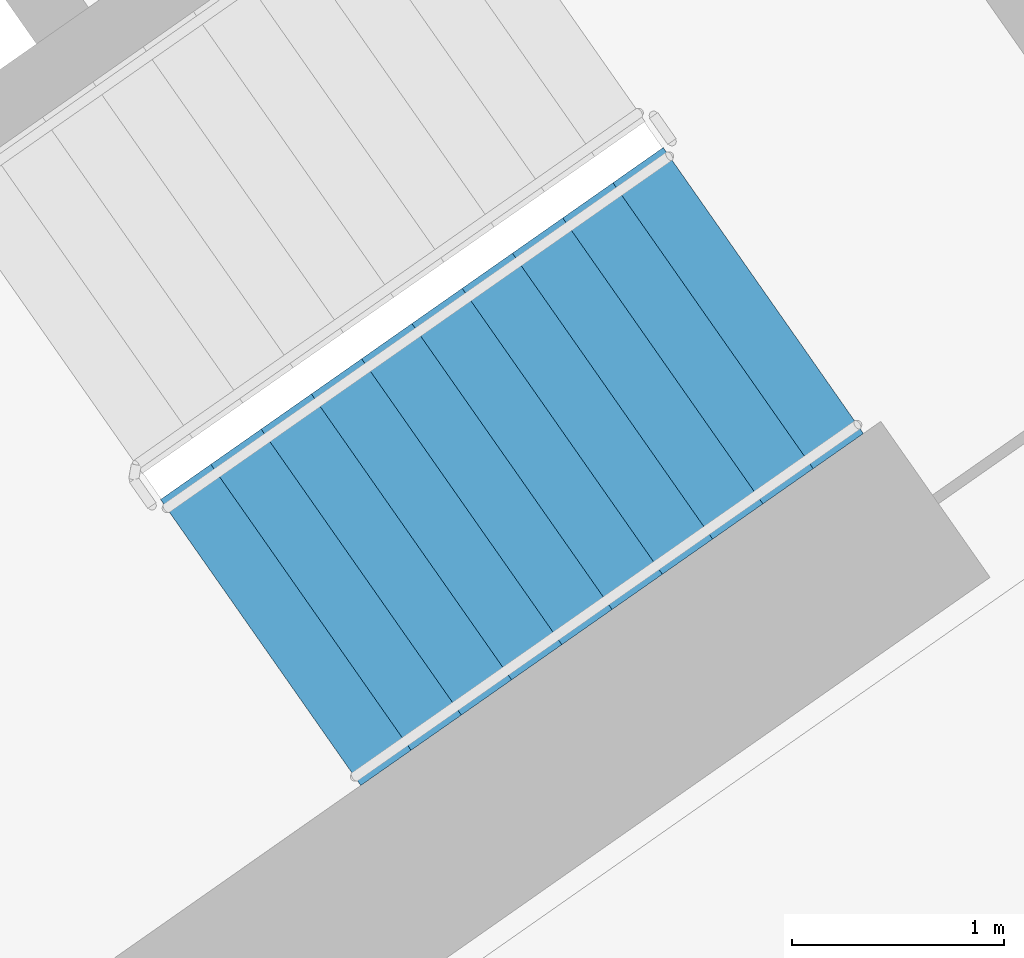
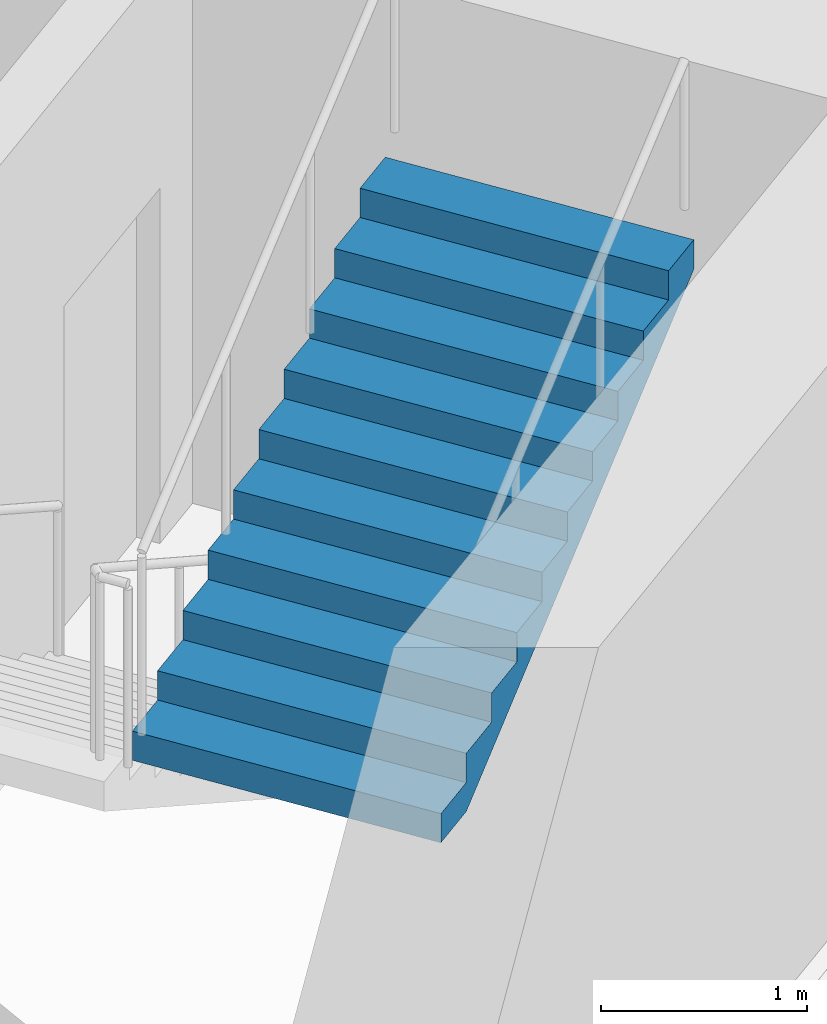
# One storey, part 16 of 31: 1 stair flight, 1 element without a shape of its own.
"""IFC4 building model written with IfcOpenShell, lengths in metres."""

from ifc_helpers import new_model, si_unit, direction, frame, origin, place, context, subcontext, project, spatial, faceted_brep, material, type_object, element, aggregate, save


model = new_model("IFC4")

# Units and contexts
model_context = context("Model", 3, precision=1e-05, world=origin(), true_north=direction((0.0, 1.0)))
body_context = subcontext(model_context, "Body", "Model", "MODEL_VIEW")
ifc_project = project(units=[si_unit("LENGTHUNIT", "METRE"), si_unit("AREAUNIT", "SQUARE_METRE"), si_unit("VOLUMEUNIT", "CUBIC_METRE"), si_unit("PLANEANGLEUNIT", "RADIAN"), si_unit("MASSUNIT", "GRAM", prefix="KILO")], contexts=[model_context])

# Site, building, storey
site_placement = place(None, origin())
site = spatial("IfcSite", under=ifc_project, at=site_placement, CompositionType="ELEMENT")
building_placement = place(site_placement, origin())
building = spatial("IfcBuilding", under=site, at=building_placement, Name="Qamariyya Broadcast Tower", CompositionType="ELEMENT")
storey_placement = place(building_placement, frame((0.0, 0.0, 86.10009765625)))
storey = spatial("IfcBuildingStorey", under=building, at=storey_placement, Name="L18", CompositionType="ELEMENT", Elevation=86.10009765625)

# Stair, stair flight
ifc_material = material(Name="Concrete C50/60", Category="concrete")
stair_type = type_object("IfcStairType", Name="Exit stair 22 risers of 173 mm", PredefinedType="HALF_TURN_STAIR", material=ifc_material)
stair_placement = place(storey_placement, origin())
stair = element("IfcStair", 1, at=stair_placement, inside=storey, type_object=stair_type, Name="L18 Stair E1", PredefinedType="HALF_TURN_STAIR")
stair_flight_type = type_object("IfcStairFlightType", Name="Exit stair flight 11 risers of 173 mm", PredefinedType="STRAIGHT", material=ifc_material)
stair_flight_placement = place(storey_placement, frame((44.693359375, -58.64599609375, 1.89990234375), z_axis=(0.0, 0.0, 1.0), x_axis=(0.819152044289, 0.573576436351, 0.0)))
stair_flight = element("IfcStairFlight", 2, at=stair_flight_placement, type_object=stair_flight_type, Name="ST-E1 flight 2", NumberOfRisers=11, NumberOfTreads=10, PredefinedType="STRAIGHT", RiserHeight=0.172727273, TreadLength=0.29, context=body_context, shape_type="Brep", body=[
    faceted_brep([(0.0, 0.824951171875, 0.0), (0.0, 0.824951171875, 0.172607421875), (0.2900390625, 0.824951171875, 0.172607421875), (0.2900390625, 0.824951171875, 0.345458984375), (0.580078125, 0.824951171875, 0.345458984375), (0.580078125, 0.824951171875, 0.51806640625), (0.8701171875, 0.824951171875, 0.51806640625), (0.8701171875, 0.824951171875, 0.69091796875), (1.159912109375, 0.824951171875, 0.69091796875), (1.159912109375, 0.824951171875, 0.863525390625), (1.449951171875, 0.824951171875, 0.863525390625), (1.449951171875, 0.824951171875, 1.036376953125), (1.739990234375, 0.824951171875, 1.036376953125), (1.739990234375, 0.824951171875, 1.208984375), (2.030029296875, 0.824951171875, 1.208984375), (2.030029296875, 0.824951171875, 1.3818359375), (2.320068359375, 0.824951171875, 1.3818359375), (2.320068359375, 0.824951171875, 1.554443359375), (2.610107421875, 0.824951171875, 1.554443359375), (2.610107421875, 0.824951171875, 1.727294921875), (2.89990234375, 0.824951171875, 1.727294921875), (2.89990234375, 0.824951171875, 1.552734375), (0.29296875, 0.824951171875, 0.0), (0.29296875, -0.824951171875, 0.0), (2.89990234375, -0.824951171875, 1.552734375), (2.89990234375, -0.824951171875, 1.727294921875), (2.610107421875, -0.824951171875, 1.727294921875), (2.610107421875, -0.824951171875, 1.554443359375), (2.320068359375, -0.824951171875, 1.554443359375), (2.320068359375, -0.824951171875, 1.3818359375), (2.030029296875, -0.824951171875, 1.3818359375), (2.030029296875, -0.824951171875, 1.208984375), (1.739990234375, -0.824951171875, 1.208984375), (1.739990234375, -0.824951171875, 1.036376953125), (1.449951171875, -0.824951171875, 1.036376953125), (1.449951171875, -0.824951171875, 0.863525390625), (1.159912109375, -0.824951171875, 0.863525390625), (1.159912109375, -0.824951171875, 0.69091796875), (0.8701171875, -0.824951171875, 0.69091796875), (0.8701171875, -0.824951171875, 0.51806640625), (0.580078125, -0.824951171875, 0.51806640625), (0.580078125, -0.824951171875, 0.345458984375), (0.2900390625, -0.824951171875, 0.345458984375), (0.2900390625, -0.824951171875, 0.172607421875), (0.0, -0.824951171875, 0.172607421875), (0.0, -0.824951171875, 0.0), (0.0, 0.10009765625, 0.0), (0.0, 0.086669921875, 0.0), (0.0, 0.0732421875, 0.0), (0.0, 0.06005859375, 0.0), (0.0, 0.046630859375, 0.0), (0.0, 0.033447265625, 0.0), (0.0, 0.02001953125, 0.0), (0.0, 0.006591796875, 0.0), (0.0, -0.006591796875, 0.0), (0.0, -0.02001953125, 0.0), (0.0, -0.033447265625, 0.0), (0.0, -0.046630859375, 0.0), (0.0, -0.06005859375, 0.0), (0.0, -0.0732421875, 0.0), (0.0, -0.086669921875, 0.0), (0.0, -0.10009765625, 0.0), (0.0, -0.10009765625, 0.172607421875), (0.0, -0.086669921875, 0.172607421875), (0.0, -0.0732421875, 0.172607421875), (0.0, -0.06005859375, 0.172607421875), (0.0, -0.046630859375, 0.172607421875), (0.0, -0.033447265625, 0.172607421875), (0.0, -0.02001953125, 0.172607421875), (0.0, -0.006591796875, 0.172607421875), (0.0, 0.006591796875, 0.172607421875), (0.0, 0.02001953125, 0.172607421875), (0.0, 0.033447265625, 0.172607421875), (0.0, 0.046630859375, 0.172607421875), (0.0, 0.06005859375, 0.172607421875), (0.0, 0.0732421875, 0.172607421875), (0.0, 0.086669921875, 0.172607421875), (0.0, 0.10009765625, 0.172607421875), (0.2900390625, -0.10009765625, 0.172607421875), (0.2900390625, -0.086669921875, 0.172607421875), (0.2900390625, -0.0732421875, 0.172607421875), (0.2900390625, -0.06005859375, 0.172607421875), (0.2900390625, -0.046630859375, 0.172607421875), (0.2900390625, -0.033447265625, 0.172607421875), (0.2900390625, -0.02001953125, 0.172607421875), (0.2900390625, -0.006591796875, 0.172607421875), (0.2900390625, 0.006591796875, 0.172607421875), (0.2900390625, 0.02001953125, 0.172607421875), (0.2900390625, 0.033447265625, 0.172607421875), (0.2900390625, 0.046630859375, 0.172607421875), (0.2900390625, 0.06005859375, 0.172607421875), (0.2900390625, 0.0732421875, 0.172607421875), (0.2900390625, 0.086669921875, 0.172607421875), (0.2900390625, 0.10009765625, 0.172607421875), (0.2900390625, -0.10009765625, 0.345458984375), (0.2900390625, -0.086669921875, 0.345458984375), (0.2900390625, -0.0732421875, 0.345458984375), (0.2900390625, -0.06005859375, 0.345458984375), (0.2900390625, -0.046630859375, 0.345458984375), (0.2900390625, -0.033447265625, 0.345458984375), (0.2900390625, -0.02001953125, 0.345458984375), (0.2900390625, -0.006591796875, 0.345458984375), (0.2900390625, 0.006591796875, 0.345458984375), (0.2900390625, 0.02001953125, 0.345458984375), (0.2900390625, 0.033447265625, 0.345458984375), (0.2900390625, 0.046630859375, 0.345458984375), (0.2900390625, 0.06005859375, 0.345458984375), (0.2900390625, 0.0732421875, 0.345458984375), (0.2900390625, 0.086669921875, 0.345458984375), (0.2900390625, 0.10009765625, 0.345458984375), (0.580078125, -0.10009765625, 0.345458984375), (0.580078125, -0.086669921875, 0.345458984375), (0.580078125, -0.0732421875, 0.345458984375), (0.580078125, -0.06005859375, 0.345458984375), (0.580078125, -0.046630859375, 0.345458984375), (0.580078125, -0.033447265625, 0.345458984375), (0.580078125, -0.02001953125, 0.345458984375), (0.580078125, -0.006591796875, 0.345458984375), (0.580078125, 0.006591796875, 0.345458984375), (0.580078125, 0.02001953125, 0.345458984375), (0.580078125, 0.033447265625, 0.345458984375), (0.580078125, 0.046630859375, 0.345458984375), (0.580078125, 0.06005859375, 0.345458984375), (0.580078125, 0.0732421875, 0.345458984375), (0.580078125, 0.086669921875, 0.345458984375), (0.580078125, 0.10009765625, 0.345458984375), (0.580078125, -0.10009765625, 0.51806640625), (0.580078125, -0.086669921875, 0.51806640625), (0.580078125, -0.0732421875, 0.51806640625), (0.580078125, -0.06005859375, 0.51806640625), (0.580078125, -0.046630859375, 0.51806640625), (0.580078125, -0.033447265625, 0.51806640625), (0.580078125, -0.02001953125, 0.51806640625), (0.580078125, -0.006591796875, 0.51806640625), (0.580078125, 0.006591796875, 0.51806640625), (0.580078125, 0.02001953125, 0.51806640625), (0.580078125, 0.033447265625, 0.51806640625), (0.580078125, 0.046630859375, 0.51806640625), (0.580078125, 0.06005859375, 0.51806640625), (0.580078125, 0.0732421875, 0.51806640625), (0.580078125, 0.086669921875, 0.51806640625), (0.580078125, 0.10009765625, 0.51806640625), (0.8701171875, -0.10009765625, 0.51806640625), (0.8701171875, -0.086669921875, 0.51806640625), (0.8701171875, -0.0732421875, 0.51806640625), (0.8701171875, -0.06005859375, 0.51806640625), (0.8701171875, -0.046630859375, 0.51806640625), (0.8701171875, -0.033447265625, 0.51806640625), (0.8701171875, -0.02001953125, 0.51806640625), (0.8701171875, -0.006591796875, 0.51806640625), (0.8701171875, 0.006591796875, 0.51806640625), (0.8701171875, 0.02001953125, 0.51806640625), (0.8701171875, 0.033447265625, 0.51806640625), (0.8701171875, 0.046630859375, 0.51806640625), (0.8701171875, 0.06005859375, 0.51806640625), (0.8701171875, 0.0732421875, 0.51806640625), (0.8701171875, 0.086669921875, 0.51806640625), (0.8701171875, 0.10009765625, 0.51806640625), (0.8701171875, -0.10009765625, 0.69091796875), (0.8701171875, -0.086669921875, 0.69091796875), (0.8701171875, -0.0732421875, 0.69091796875), (0.8701171875, -0.06005859375, 0.69091796875), (0.8701171875, -0.046630859375, 0.69091796875), (0.8701171875, -0.033447265625, 0.69091796875), (0.8701171875, -0.02001953125, 0.69091796875), (0.8701171875, -0.006591796875, 0.69091796875), (0.8701171875, 0.006591796875, 0.69091796875), (0.8701171875, 0.02001953125, 0.69091796875), (0.8701171875, 0.033447265625, 0.69091796875), (0.8701171875, 0.046630859375, 0.69091796875), (0.8701171875, 0.06005859375, 0.69091796875), (0.8701171875, 0.0732421875, 0.69091796875), (0.8701171875, 0.086669921875, 0.69091796875), (0.8701171875, 0.10009765625, 0.69091796875), (1.159912109375, -0.10009765625, 0.69091796875), (1.159912109375, -0.086669921875, 0.69091796875), (1.159912109375, -0.0732421875, 0.69091796875), (1.159912109375, -0.06005859375, 0.69091796875), (1.159912109375, -0.046630859375, 0.69091796875), (1.159912109375, -0.033447265625, 0.69091796875), (1.159912109375, -0.02001953125, 0.69091796875), (1.159912109375, -0.006591796875, 0.69091796875), (1.159912109375, 0.006591796875, 0.69091796875), (1.159912109375, 0.02001953125, 0.69091796875), (1.159912109375, 0.033447265625, 0.69091796875), (1.159912109375, 0.046630859375, 0.69091796875), (1.159912109375, 0.06005859375, 0.69091796875), (1.159912109375, 0.0732421875, 0.69091796875), (1.159912109375, 0.086669921875, 0.69091796875), (1.159912109375, 0.10009765625, 0.69091796875), (1.159912109375, -0.10009765625, 0.863525390625), (1.159912109375, -0.086669921875, 0.863525390625), (1.159912109375, -0.0732421875, 0.863525390625), (1.159912109375, -0.06005859375, 0.863525390625), (1.159912109375, -0.046630859375, 0.863525390625), (1.159912109375, -0.033447265625, 0.863525390625), (1.159912109375, -0.02001953125, 0.863525390625), (1.159912109375, -0.006591796875, 0.863525390625), (1.159912109375, 0.006591796875, 0.863525390625), (1.159912109375, 0.02001953125, 0.863525390625), (1.159912109375, 0.033447265625, 0.863525390625), (1.159912109375, 0.046630859375, 0.863525390625), (1.159912109375, 0.06005859375, 0.863525390625), (1.159912109375, 0.0732421875, 0.863525390625), (1.159912109375, 0.086669921875, 0.863525390625), (1.159912109375, 0.10009765625, 0.863525390625), (1.449951171875, -0.10009765625, 0.863525390625), (1.449951171875, -0.086669921875, 0.863525390625), (1.449951171875, -0.0732421875, 0.863525390625), (1.449951171875, -0.06005859375, 0.863525390625), (1.449951171875, -0.046630859375, 0.863525390625), (1.449951171875, -0.033447265625, 0.863525390625), (1.449951171875, -0.02001953125, 0.863525390625), (1.449951171875, -0.006591796875, 0.863525390625), (1.449951171875, 0.006591796875, 0.863525390625), (1.449951171875, 0.02001953125, 0.863525390625), (1.449951171875, 0.033447265625, 0.863525390625), (1.449951171875, 0.046630859375, 0.863525390625), (1.449951171875, 0.06005859375, 0.863525390625), (1.449951171875, 0.0732421875, 0.863525390625), (1.449951171875, 0.086669921875, 0.863525390625), (1.449951171875, 0.10009765625, 0.863525390625), (1.449951171875, -0.10009765625, 1.036376953125), (1.449951171875, -0.086669921875, 1.036376953125), (1.449951171875, -0.0732421875, 1.036376953125), (1.449951171875, -0.06005859375, 1.036376953125), (1.449951171875, -0.046630859375, 1.036376953125), (1.449951171875, -0.033447265625, 1.036376953125), (1.449951171875, -0.02001953125, 1.036376953125), (1.449951171875, -0.006591796875, 1.036376953125), (1.449951171875, 0.006591796875, 1.036376953125), (1.449951171875, 0.02001953125, 1.036376953125), (1.449951171875, 0.033447265625, 1.036376953125), (1.449951171875, 0.046630859375, 1.036376953125), (1.449951171875, 0.06005859375, 1.036376953125), (1.449951171875, 0.0732421875, 1.036376953125), (1.449951171875, 0.086669921875, 1.036376953125), (1.449951171875, 0.10009765625, 1.036376953125), (1.739990234375, -0.10009765625, 1.036376953125), (1.739990234375, -0.086669921875, 1.036376953125), (1.739990234375, -0.0732421875, 1.036376953125), (1.739990234375, -0.06005859375, 1.036376953125), (1.739990234375, -0.046630859375, 1.036376953125), (1.739990234375, -0.033447265625, 1.036376953125), (1.739990234375, -0.02001953125, 1.036376953125), (1.739990234375, -0.006591796875, 1.036376953125), (1.739990234375, 0.006591796875, 1.036376953125), (1.739990234375, 0.02001953125, 1.036376953125), (1.739990234375, 0.033447265625, 1.036376953125), (1.739990234375, 0.046630859375, 1.036376953125), (1.739990234375, 0.06005859375, 1.036376953125), (1.739990234375, 0.0732421875, 1.036376953125), (1.739990234375, 0.086669921875, 1.036376953125), (1.739990234375, 0.10009765625, 1.036376953125), (1.739990234375, -0.10009765625, 1.208984375), (1.739990234375, -0.086669921875, 1.208984375), (1.739990234375, -0.0732421875, 1.208984375), (1.739990234375, -0.06005859375, 1.208984375), (1.739990234375, -0.046630859375, 1.208984375), (1.739990234375, -0.033447265625, 1.208984375), (1.739990234375, -0.02001953125, 1.208984375), (1.739990234375, -0.006591796875, 1.208984375), (1.739990234375, 0.006591796875, 1.208984375), (1.739990234375, 0.02001953125, 1.208984375), (1.739990234375, 0.033447265625, 1.208984375), (1.739990234375, 0.046630859375, 1.208984375), (1.739990234375, 0.06005859375, 1.208984375), (1.739990234375, 0.0732421875, 1.208984375), (1.739990234375, 0.086669921875, 1.208984375), (1.739990234375, 0.10009765625, 1.208984375), (2.030029296875, -0.10009765625, 1.208984375), (2.030029296875, -0.086669921875, 1.208984375), (2.030029296875, -0.0732421875, 1.208984375), (2.030029296875, -0.06005859375, 1.208984375), (2.030029296875, -0.046630859375, 1.208984375), (2.030029296875, -0.033447265625, 1.208984375), (2.030029296875, -0.02001953125, 1.208984375), (2.030029296875, -0.006591796875, 1.208984375), (2.030029296875, 0.006591796875, 1.208984375), (2.030029296875, 0.02001953125, 1.208984375), (2.030029296875, 0.033447265625, 1.208984375), (2.030029296875, 0.046630859375, 1.208984375), (2.030029296875, 0.06005859375, 1.208984375), (2.030029296875, 0.0732421875, 1.208984375), (2.030029296875, 0.086669921875, 1.208984375), (2.030029296875, 0.10009765625, 1.208984375), (2.030029296875, -0.10009765625, 1.3818359375), (2.030029296875, -0.086669921875, 1.3818359375), (2.030029296875, -0.0732421875, 1.3818359375), (2.030029296875, -0.06005859375, 1.3818359375), (2.030029296875, -0.046630859375, 1.3818359375), (2.030029296875, -0.033447265625, 1.3818359375), (2.030029296875, -0.02001953125, 1.3818359375), (2.030029296875, -0.006591796875, 1.3818359375), (2.030029296875, 0.006591796875, 1.3818359375), (2.030029296875, 0.02001953125, 1.3818359375), (2.030029296875, 0.033447265625, 1.3818359375), (2.030029296875, 0.046630859375, 1.3818359375), (2.030029296875, 0.06005859375, 1.3818359375), (2.030029296875, 0.0732421875, 1.3818359375), (2.030029296875, 0.086669921875, 1.3818359375), (2.030029296875, 0.10009765625, 1.3818359375), (2.320068359375, -0.10009765625, 1.3818359375), (2.320068359375, -0.086669921875, 1.3818359375), (2.320068359375, -0.0732421875, 1.3818359375), (2.320068359375, -0.06005859375, 1.3818359375), (2.320068359375, -0.046630859375, 1.3818359375), (2.320068359375, -0.033447265625, 1.3818359375), (2.320068359375, -0.02001953125, 1.3818359375), (2.320068359375, -0.006591796875, 1.3818359375), (2.320068359375, 0.006591796875, 1.3818359375), (2.320068359375, 0.02001953125, 1.3818359375), (2.320068359375, 0.033447265625, 1.3818359375), (2.320068359375, 0.046630859375, 1.3818359375), (2.320068359375, 0.06005859375, 1.3818359375), (2.320068359375, 0.0732421875, 1.3818359375), (2.320068359375, 0.086669921875, 1.3818359375), (2.320068359375, 0.10009765625, 1.3818359375), (2.320068359375, -0.10009765625, 1.554443359375), (2.320068359375, -0.086669921875, 1.554443359375), (2.320068359375, -0.0732421875, 1.554443359375), (2.320068359375, -0.06005859375, 1.554443359375), (2.320068359375, -0.046630859375, 1.554443359375), (2.320068359375, -0.033447265625, 1.554443359375), (2.320068359375, -0.02001953125, 1.554443359375), (2.320068359375, -0.006591796875, 1.554443359375), (2.320068359375, 0.006591796875, 1.554443359375), (2.320068359375, 0.02001953125, 1.554443359375), (2.320068359375, 0.033447265625, 1.554443359375), (2.320068359375, 0.046630859375, 1.554443359375), (2.320068359375, 0.06005859375, 1.554443359375), (2.320068359375, 0.0732421875, 1.554443359375), (2.320068359375, 0.086669921875, 1.554443359375), (2.320068359375, 0.10009765625, 1.554443359375), (2.610107421875, -0.10009765625, 1.554443359375), (2.610107421875, -0.086669921875, 1.554443359375), (2.610107421875, -0.0732421875, 1.554443359375), (2.610107421875, -0.06005859375, 1.554443359375), (2.610107421875, -0.046630859375, 1.554443359375), (2.610107421875, -0.033447265625, 1.554443359375), (2.610107421875, -0.02001953125, 1.554443359375), (2.610107421875, -0.006591796875, 1.554443359375), (2.610107421875, 0.006591796875, 1.554443359375), (2.610107421875, 0.02001953125, 1.554443359375), (2.610107421875, 0.033447265625, 1.554443359375), (2.610107421875, 0.046630859375, 1.554443359375), (2.610107421875, 0.06005859375, 1.554443359375), (2.610107421875, 0.0732421875, 1.554443359375), (2.610107421875, 0.086669921875, 1.554443359375), (2.610107421875, 0.10009765625, 1.554443359375), (2.610107421875, -0.10009765625, 1.727294921875), (2.610107421875, -0.086669921875, 1.727294921875), (2.610107421875, -0.0732421875, 1.727294921875), (2.610107421875, -0.06005859375, 1.727294921875), (2.610107421875, -0.046630859375, 1.727294921875), (2.610107421875, -0.033447265625, 1.727294921875), (2.610107421875, -0.02001953125, 1.727294921875), (2.610107421875, -0.006591796875, 1.727294921875), (2.610107421875, 0.006591796875, 1.727294921875), (2.610107421875, 0.02001953125, 1.727294921875), (2.610107421875, 0.033447265625, 1.727294921875), (2.610107421875, 0.046630859375, 1.727294921875), (2.610107421875, 0.06005859375, 1.727294921875), (2.610107421875, 0.0732421875, 1.727294921875), (2.610107421875, 0.086669921875, 1.727294921875), (2.610107421875, 0.10009765625, 1.727294921875), (2.89990234375, -0.10009765625, 1.727294921875), (2.89990234375, -0.086669921875, 1.727294921875), (2.89990234375, -0.0732421875, 1.727294921875), (2.89990234375, -0.06005859375, 1.727294921875), (2.89990234375, -0.046630859375, 1.727294921875), (2.89990234375, -0.033447265625, 1.727294921875), (2.89990234375, -0.02001953125, 1.727294921875), (2.89990234375, -0.006591796875, 1.727294921875), (2.89990234375, 0.006591796875, 1.727294921875), (2.89990234375, 0.02001953125, 1.727294921875), (2.89990234375, 0.033447265625, 1.727294921875), (2.89990234375, 0.046630859375, 1.727294921875), (2.89990234375, 0.06005859375, 1.727294921875), (2.89990234375, 0.0732421875, 1.727294921875), (2.89990234375, 0.086669921875, 1.727294921875), (2.89990234375, 0.10009765625, 1.727294921875), (2.89990234375, -0.10009765625, 1.552734375), (2.89990234375, -0.086669921875, 1.552734375), (2.89990234375, -0.0732421875, 1.552734375), (2.89990234375, -0.06005859375, 1.552734375), (2.89990234375, -0.046630859375, 1.552734375), (2.89990234375, -0.033447265625, 1.552734375), (2.89990234375, -0.02001953125, 1.552734375), (2.89990234375, -0.006591796875, 1.552734375), (2.89990234375, 0.006591796875, 1.552734375), (2.89990234375, 0.02001953125, 1.552734375), (2.89990234375, 0.033447265625, 1.552734375), (2.89990234375, 0.046630859375, 1.552734375), (2.89990234375, 0.06005859375, 1.552734375), (2.89990234375, 0.0732421875, 1.552734375), (2.89990234375, 0.086669921875, 1.552734375), (2.89990234375, 0.10009765625, 1.552734375), (0.29296875, -0.10009765625, 0.0), (0.29296875, -0.086669921875, 0.0), (0.29296875, -0.0732421875, 0.0), (0.29296875, -0.06005859375, 0.0), (0.29296875, -0.046630859375, 0.0), (0.29296875, -0.033447265625, 0.0), (0.29296875, -0.02001953125, 0.0), (0.29296875, -0.006591796875, 0.0), (0.29296875, 0.006591796875, 0.0), (0.29296875, 0.02001953125, 0.0), (0.29296875, 0.033447265625, 0.0), (0.29296875, 0.046630859375, 0.0), (0.29296875, 0.06005859375, 0.0), (0.29296875, 0.0732421875, 0.0), (0.29296875, 0.086669921875, 0.0), (0.29296875, 0.10009765625, 0.0)], [[[0, 1, 2, 3, 4, 5, 6, 7, 8, 9, 10, 11, 12, 13, 14, 15, 16, 17, 18, 19, 20, 21, 22]], [[23, 24, 25, 26, 27, 28, 29, 30, 31, 32, 33, 34, 35, 36, 37, 38, 39, 40, 41, 42, 43, 44, 45]], [[0, 46, 47, 48, 49, 50, 51, 52, 53, 54, 55, 56, 57, 58, 59, 60, 61, 45, 44, 62, 63, 64, 65, 66, 67, 68, 69, 70, 71, 72, 73, 74, 75, 76, 77, 1]], [[1, 77, 76, 75, 74, 73, 72, 71, 70, 69, 68, 67, 66, 65, 64, 63, 62, 44, 43, 78, 79, 80, 81, 82, 83, 84, 85, 86, 87, 88, 89, 90, 91, 92, 93, 2]], [[2, 93, 92, 91, 90, 89, 88, 87, 86, 85, 84, 83, 82, 81, 80, 79, 78, 43, 42, 94, 95, 96, 97, 98, 99, 100, 101, 102, 103, 104, 105, 106, 107, 108, 109, 3]], [[3, 109, 108, 107, 106, 105, 104, 103, 102, 101, 100, 99, 98, 97, 96, 95, 94, 42, 41, 110, 111, 112, 113, 114, 115, 116, 117, 118, 119, 120, 121, 122, 123, 124, 125, 4]], [[4, 125, 124, 123, 122, 121, 120, 119, 118, 117, 116, 115, 114, 113, 112, 111, 110, 41, 40, 126, 127, 128, 129, 130, 131, 132, 133, 134, 135, 136, 137, 138, 139, 140, 141, 5]], [[5, 141, 140, 139, 138, 137, 136, 135, 134, 133, 132, 131, 130, 129, 128, 127, 126, 40, 39, 142, 143, 144, 145, 146, 147, 148, 149, 150, 151, 152, 153, 154, 155, 156, 157, 6]], [[6, 157, 156, 155, 154, 153, 152, 151, 150, 149, 148, 147, 146, 145, 144, 143, 142, 39, 38, 158, 159, 160, 161, 162, 163, 164, 165, 166, 167, 168, 169, 170, 171, 172, 173, 7]], [[7, 173, 172, 171, 170, 169, 168, 167, 166, 165, 164, 163, 162, 161, 160, 159, 158, 38, 37, 174, 175, 176, 177, 178, 179, 180, 181, 182, 183, 184, 185, 186, 187, 188, 189, 8]], [[8, 189, 188, 187, 186, 185, 184, 183, 182, 181, 180, 179, 178, 177, 176, 175, 174, 37, 36, 190, 191, 192, 193, 194, 195, 196, 197, 198, 199, 200, 201, 202, 203, 204, 205, 9]], [[9, 205, 204, 203, 202, 201, 200, 199, 198, 197, 196, 195, 194, 193, 192, 191, 190, 36, 35, 206, 207, 208, 209, 210, 211, 212, 213, 214, 215, 216, 217, 218, 219, 220, 221, 10]], [[10, 221, 220, 219, 218, 217, 216, 215, 214, 213, 212, 211, 210, 209, 208, 207, 206, 35, 34, 222, 223, 224, 225, 226, 227, 228, 229, 230, 231, 232, 233, 234, 235, 236, 237, 11]], [[11, 237, 236, 235, 234, 233, 232, 231, 230, 229, 228, 227, 226, 225, 224, 223, 222, 34, 33, 238, 239, 240, 241, 242, 243, 244, 245, 246, 247, 248, 249, 250, 251, 252, 253, 12]], [[12, 253, 252, 251, 250, 249, 248, 247, 246, 245, 244, 243, 242, 241, 240, 239, 238, 33, 32, 254, 255, 256, 257, 258, 259, 260, 261, 262, 263, 264, 265, 266, 267, 268, 269, 13]], [[13, 269, 268, 267, 266, 265, 264, 263, 262, 261, 260, 259, 258, 257, 256, 255, 254, 32, 31, 270, 271, 272, 273, 274, 275, 276, 277, 278, 279, 280, 281, 282, 283, 284, 285, 14]], [[14, 285, 284, 283, 282, 281, 280, 279, 278, 277, 276, 275, 274, 273, 272, 271, 270, 31, 30, 286, 287, 288, 289, 290, 291, 292, 293, 294, 295, 296, 297, 298, 299, 300, 301, 15]], [[15, 301, 300, 299, 298, 297, 296, 295, 294, 293, 292, 291, 290, 289, 288, 287, 286, 30, 29, 302, 303, 304, 305, 306, 307, 308, 309, 310, 311, 312, 313, 314, 315, 316, 317, 16]], [[16, 317, 316, 315, 314, 313, 312, 311, 310, 309, 308, 307, 306, 305, 304, 303, 302, 29, 28, 318, 319, 320, 321, 322, 323, 324, 325, 326, 327, 328, 329, 330, 331, 332, 333, 17]], [[17, 333, 332, 331, 330, 329, 328, 327, 326, 325, 324, 323, 322, 321, 320, 319, 318, 28, 27, 334, 335, 336, 337, 338, 339, 340, 341, 342, 343, 344, 345, 346, 347, 348, 349, 18]], [[18, 349, 348, 347, 346, 345, 344, 343, 342, 341, 340, 339, 338, 337, 336, 335, 334, 27, 26, 350, 351, 352, 353, 354, 355, 356, 357, 358, 359, 360, 361, 362, 363, 364, 365, 19]], [[19, 365, 364, 363, 362, 361, 360, 359, 358, 357, 356, 355, 354, 353, 352, 351, 350, 26, 25, 366, 367, 368, 369, 370, 371, 372, 373, 374, 375, 376, 377, 378, 379, 380, 381, 20]], [[20, 381, 380, 379, 378, 377, 376, 375, 374, 373, 372, 371, 370, 369, 368, 367, 366, 25, 24, 382, 383, 384, 385, 386, 387, 388, 389, 390, 391, 392, 393, 394, 395, 396, 397, 21]], [[21, 397, 396, 395, 394, 393, 392, 391, 390, 389, 388, 387, 386, 385, 384, 383, 382, 24, 23, 398, 399, 400, 401, 402, 403, 404, 405, 406, 407, 408, 409, 410, 411, 412, 413, 22]], [[22, 413, 412, 411, 410, 409, 408, 407, 406, 405, 404, 403, 402, 401, 400, 399, 398, 23, 45, 61, 60, 59, 58, 57, 56, 55, 54, 53, 52, 51, 50, 49, 48, 47, 46, 0]]]),
])
aggregate(stair, [stair_flight])

save(model, "model.ifc")
